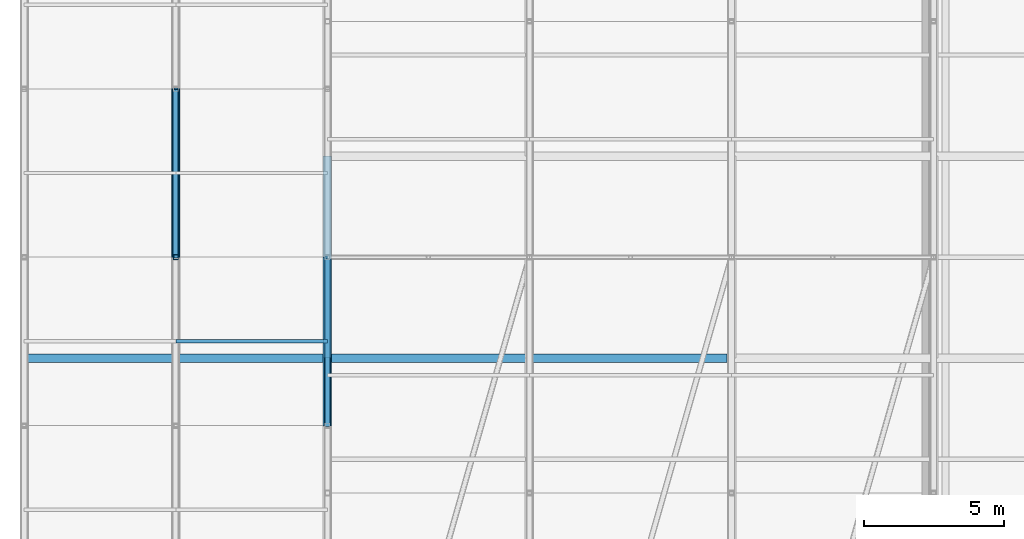
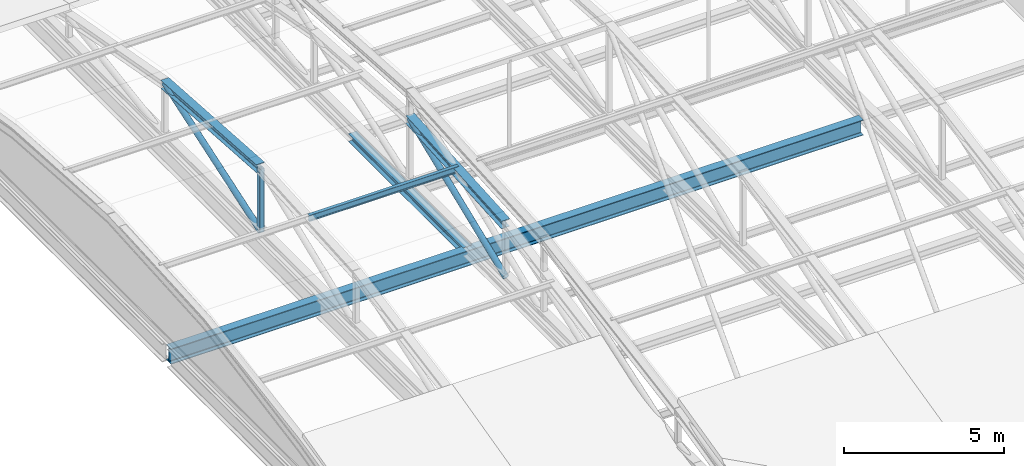
# One storey, part 25 of 76: 5 members, 3 beams.
"""IFC4 building model written with IfcOpenShell, lengths in metres."""

from ifc_helpers import new_model, si_unit, direction, frame, origin, origin_2d, place, context, subcontext, project, spatial, hollow_rectangle, hollow_circle, i_section, extrude, material, material_profile, profile_set, type_object, element, save


model = new_model("IFC4")

# Units and contexts
model_context = context("Model", 3, precision=1e-05, world=origin(), true_north=direction((0.0, 1.0)))
body_context = subcontext(model_context, "Body", "Model", "MODEL_VIEW")
ifc_project = project(units=[si_unit("LENGTHUNIT", "METRE"), si_unit("AREAUNIT", "SQUARE_METRE"), si_unit("VOLUMEUNIT", "CUBIC_METRE"), si_unit("PLANEANGLEUNIT", "RADIAN"), si_unit("MASSUNIT", "GRAM", prefix="KILO")], contexts=[model_context])

# Site, building, storey
site_placement = place(None, origin())
site = spatial("IfcSite", under=ifc_project, at=site_placement, CompositionType="ELEMENT")
building_placement = place(site_placement, origin())
building = spatial("IfcBuilding", under=site, at=building_placement, Name="Zlatovets Crest Museum", CompositionType="ELEMENT")
storey_placement = place(building_placement, frame((0.0, 0.0, 17.10009765625)))
storey = spatial("IfcBuildingStorey", under=building, at=storey_placement, Name="L04", CompositionType="ELEMENT", Elevation=17.10009765625)

# Beams
ifc_material = material(Name="Structural steel S355J2", Category="steel")
ifc_material_profile_1 = material_profile(ifc_material, i_section(OverallWidth=0.300048828125, OverallDepth=0.31005859375, WebThickness=0.009033203125, FlangeThickness=0.015380859375, FilletRadius=0.027099609375, at=origin_2d()), Name="HEA 320")
ifc_profile_set_1 = profile_set([ifc_material_profile_1], Name="Structural steel S355J2")
beam_type_1 = type_object("IfcBeamType", Name="Beam_B-04", PredefinedType="BEAM", material=ifc_profile_set_1)
beam_1_placement = place(storey_placement, frame((7.199951171875, 72.0, -0.375), z_axis=(0.0, 1.0, 0.0), x_axis=(-1.0, 0.0, 0.0)))
element("IfcBeam", 1, at=beam_1_placement, inside=storey, type_object=beam_type_1, Name="V4 L04 Grid Beam B-04", PredefinedType="BEAM", context=body_context, shape_type="SweptSolid", body=[
    extrude(i_section(OverallWidth=0.300048828125, OverallDepth=0.31005859375, WebThickness=0.009033203125, FlangeThickness=0.015380859375, FilletRadius=0.027099609375, at=origin_2d()), origin(), (0.0, 0.0, 1.0), 7.199951171875),
])
ifc_material_profile_2 = material_profile(ifc_material, i_section(OverallWidth=0.300048828125, OverallDepth=0.590087890625, WebThickness=0.012939453125, FlangeThickness=0.02490234375, FilletRadius=0.027099609375, at=origin_2d()), Name="HEA 600")
ifc_profile_set_2 = profile_set([ifc_material_profile_2], Name="Structural steel S355J2")
beam_type_2 = type_object("IfcBeamType", Name="Beam_B-07", PredefinedType="BEAM", material=ifc_profile_set_2)
beam_2_placement = place(storey_placement, frame((-3.60009765625, 72.0, -0.570068359375), z_axis=(1.0, 0.0, 0.0), x_axis=(0.0, 1.0, 0.0)))
element("IfcBeam", 2, at=beam_2_placement, inside=storey, type_object=beam_type_2, Name="Cantilever Transfer Truss TT-2 Top Chord", PredefinedType="BEAM", context=body_context, shape_type="SweptSolid", body=[
    extrude(i_section(OverallWidth=0.300048828125, OverallDepth=0.590087890625, WebThickness=0.012939453125, FlangeThickness=0.02490234375, FilletRadius=0.027099609375, at=origin_2d()), origin(), (0.0, 0.0, 1.0), 25.0400390625),
])
ifc_material_profile_3 = material_profile(ifc_material, i_section(OverallWidth=0.1201171875, OverallDepth=0.239990234375, WebThickness=0.006103515625, FlangeThickness=0.009765625, FilletRadius=0.014892578125, at=origin_2d()), Name="IPE 240")
ifc_profile_set_3 = profile_set([ifc_material_profile_3], Name="Structural steel S355J2")
beam_type_3 = type_object("IfcBeamType", Name="Beam_PR-01", PredefinedType="BEAM", material=ifc_profile_set_3)
beam_3_placement = place(storey_placement, frame((1.800048828125, 72.60009765625, 2.39892578125), z_axis=(1.0, 0.0, 0.0), x_axis=(0.0, 1.0, 0.0)))
element("IfcBeam", 3, at=beam_3_placement, inside=storey, type_object=beam_type_3, Name="V4 Barrel Vault Longitudinal Purlin", PredefinedType="BEAM", context=body_context, shape_type="SweptSolid", body=[
    extrude(i_section(OverallWidth=0.1201171875, OverallDepth=0.239990234375, WebThickness=0.006103515625, FlangeThickness=0.009765625, FilletRadius=0.014892578125, at=origin_2d()), origin(), (0.0, 0.0, 1.0), 5.39990234375),
])

# Members
ifc_material_profile_4 = material_profile(ifc_material, i_section(OverallWidth=0.300048828125, OverallDepth=0.31005859375, WebThickness=0.009033203125, FlangeThickness=0.015380859375, FilletRadius=0.027099609375, at=origin_2d()), Name="HEA 320")
ifc_profile_set_4 = profile_set([ifc_material_profile_4], Name="Structural steel S355J2")
member_type_1 = type_object("IfcMemberType", Name="Member_TM-02", PredefinedType="RAFTER", material=ifc_profile_set_4)
for number, where, z_axis, x_axis, name in (
    (4, (1.800048828125, 75.60009765625, 2.5), (0.0, 0.997761923521, -0.066866613283), (-1.0, 0.0, 0.0), "V4 Art Nouveau Curved Vault Rib"),
    (5, (7.199951171875, 69.60009765625, 2.097900390625), (0.0, 0.997761923521, 0.066866613283), (-1.0, 0.0, 0.0), "V4 Art Nouveau Curved Vault Rib"),
):
    element("IfcMember", number, at=place(storey_placement, frame(where, z_axis=z_axis, x_axis=x_axis)), inside=storey, type_object=member_type_1, Name=name, PredefinedType="RAFTER", context=body_context, shape_type="SweptSolid", body=[
        extrude(i_section(OverallWidth=0.300048828125, OverallDepth=0.31005859375, WebThickness=0.009033203125, FlangeThickness=0.015380859375, FilletRadius=0.027099609375, at=origin_2d()), origin(), (0.0, 0.0, 1.0), 6.013427734375),
    ])
ifc_material_profile_5 = material_profile(ifc_material, hollow_rectangle(XDim=0.179931640625, YDim=0.179931640625, WallThickness=0.010009765625, InnerFilletRadius=0.010009765625, OuterFilletRadius=0.02001953125, at=origin_2d()), Name="SHS 180x180x10.0")
ifc_profile_set_5 = profile_set([ifc_material_profile_5], Name="Structural steel S355J2")
member_type_2 = type_object("IfcMemberType", Name="Member_TM-04", PredefinedType="STRUT", material=ifc_profile_set_5)
member_1_placement = place(storey_placement, frame((1.800048828125, 75.60009765625, 0.079833984375), z_axis=(0.0, 0.0, 1.0), x_axis=(1.0, 0.0, 0.0)))
element("IfcMember", 6, at=member_1_placement, inside=storey, type_object=member_type_2, Name="V4 Barrel Vault Web Strut", PredefinedType="STRUT", context=body_context, shape_type="SweptSolid", body=[
    extrude(hollow_rectangle(XDim=0.179931640625, YDim=0.179931640625, WallThickness=0.010009765625, InnerFilletRadius=0.010009765625, OuterFilletRadius=0.02001953125, at=origin_2d()), origin(), (0.0, 0.0, 1.0), 2.420166015625),
])
ifc_material_profile_6 = material_profile(ifc_material, hollow_circle(Radius=0.109619140625, WallThickness=0.010009765625, at=origin_2d()), Name="CHS 219.1x10.0")
ifc_profile_set_6 = profile_set([ifc_material_profile_6], Name="Structural steel S355J2")
member_type_3 = type_object("IfcMemberType", Name="Member_TM-05", PredefinedType="BRACE", material=ifc_profile_set_6)
member_2_placement = place(storey_placement, frame((1.800048828125, 75.60009765625, 0.079833984375), z_axis=(0.0, 0.947823632503, 0.318795171967), x_axis=(-1.0, 0.0, 0.0)))
element("IfcMember", 7, at=member_2_placement, inside=storey, type_object=member_type_3, Name="V4 Barrel Vault Web Diagonal", PredefinedType="BRACE", context=body_context, shape_type="SweptSolid", body=[
    extrude(hollow_circle(Radius=0.109619140625, WallThickness=0.010009765625, at=origin_2d()), origin(), (0.0, 0.0, 1.0), 6.330322265625),
])
member_3_placement = place(storey_placement, frame((7.199951171875, 69.60009765625, 0.079833984375), z_axis=(0.0, 0.927397979526, 0.374076178835), x_axis=(-1.0, 0.0, 0.0)))
element("IfcMember", 8, at=member_3_placement, inside=storey, type_object=member_type_3, Name="V4 Barrel Vault Web Diagonal", PredefinedType="BRACE", context=body_context, shape_type="SweptSolid", body=[
    extrude(hollow_circle(Radius=0.109619140625, WallThickness=0.010009765625, at=origin_2d()), origin(), (0.0, 0.0, 1.0), 6.4697265625),
])

save(model, "model.ifc")
